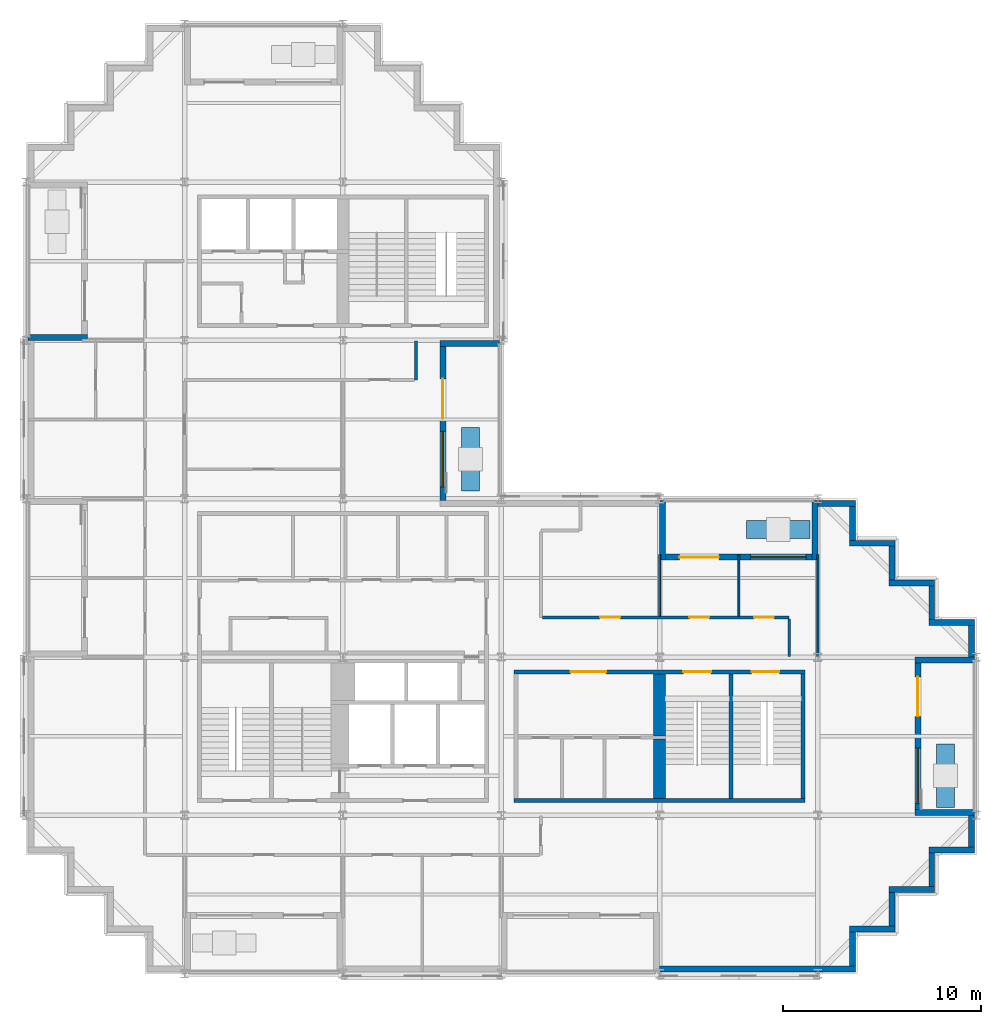
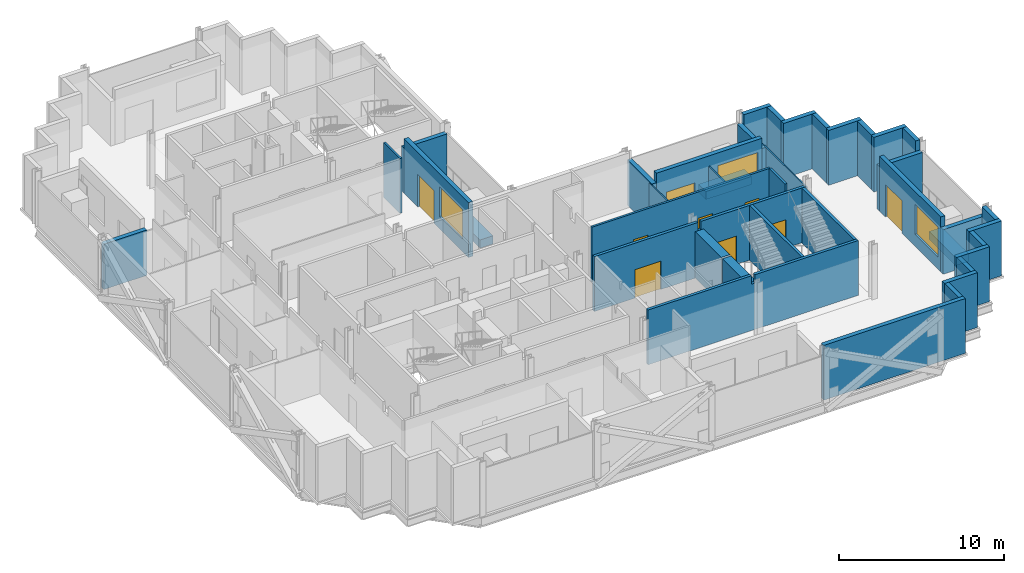
# One storey, part 7 of 12: 40 walls, 9 doors, 3 windows, 12 openings.
"""IFC4 building model written with IfcOpenShell, lengths in metres."""

import ifcopenshell
import ifcopenshell.guid

model = None  # the IFC model being written
_history = None  # IfcOwnerHistory: only IFC2X3 demands one
_inside = {}  # id of a spatial element -> (the spatial element, [elements in it])
_under = {}  # id of a project, library or spatial element -> (it, [spatial elements below it])
_declared = {}  # id of a project -> (the project, [libraries it declares])
_typed = {}  # id of a type object -> (the type object, [elements of that type])
_made_of = {}  # id of a material, layer set ... -> (it, [elements and type objects made of it])


def new_model(schema):
    """Start an empty IFC model of exactly this schema.

    Asked for "IFC4X3", IfcOpenShell would pick the latest addendum, in which some entities
    have other attributes; the version numbers below select the first issue.
    IFC2X3 requires an IfcOwnerHistory on every rooted entity: one is made here for all.
    """
    global model, _history
    if schema == "IFC4X3":
        model = ifcopenshell.file(schema_version=(4, 3, 0, 0))
    else:
        model = ifcopenshell.file(schema=schema)
    _inside.clear()
    _under.clear()
    _declared.clear()
    _typed.clear()
    _made_of.clear()
    _history = None
    if model.schema == "IFC2X3":
        org = make("IfcOrganization", Name="unknown")
        user = make(
            "IfcPersonAndOrganization",
            ThePerson=make("IfcPerson", FamilyName="unknown"),
            TheOrganization=org,
        )
        app = make(
            "IfcApplication",
            ApplicationDeveloper=org,
            Version="unknown",
            ApplicationFullName="unknown",
            ApplicationIdentifier="unknown",
        )
        _history = make(
            "IfcOwnerHistory",
            OwningUser=user,
            OwningApplication=app,
            ChangeAction="ADDED",
            CreationDate=0,
        )
    return model


def make(cls, **values):
    """One entity of the class cls with the attributes given. An attribute that is None is left unset."""
    return model.create_entity(
        cls, **{name: value for name, value in values.items() if value is not None}
    )


def rooted(cls, **values):
    """An entity with a GlobalId (a new one), such as an element, a storey or a relation."""
    return make(cls, GlobalId=ifcopenshell.guid.new(), OwnerHistory=_history, **values)


def si_unit(unit_type, name, prefix=None):
    """IfcSIUnit, for example si_unit("LENGTHUNIT", "METRE", prefix="MILLI")."""
    return make("IfcSIUnit", UnitType=unit_type, Prefix=prefix, Name=name)


def assignment(units):
    """IfcUnitAssignment: the units of a project."""
    return None if units is None else make("IfcUnitAssignment", Units=units)


def point(xyz):
    """IfcCartesianPoint."""
    return None if xyz is None else make("IfcCartesianPoint", Coordinates=xyz)


def direction(xyz):
    """IfcDirection."""
    return None if xyz is None else make("IfcDirection", DirectionRatios=xyz)


def frame(location, z_axis=None, x_axis=None):
    """IfcAxis2Placement3D, a coordinate frame: its origin and axes. An axis left out is left unset."""
    return make(
        "IfcAxis2Placement3D",
        Location=point(location),
        Axis=direction(z_axis),
        RefDirection=direction(x_axis),
    )


def frame_2d(location, x_axis=None):
    """IfcAxis2Placement2D, a coordinate frame in the plane: its origin and x axis."""
    return make(
        "IfcAxis2Placement2D", Location=point(location), RefDirection=direction(x_axis)
    )


def origin():
    """The frame at (0, 0, 0) with its axes left unset."""
    return frame((0.0, 0.0, 0.0))


def place(relative_to, where):
    """IfcLocalPlacement: puts the frame where relative to a parent placement (None: the world)."""
    return make(
        "IfcLocalPlacement", PlacementRelTo=relative_to, RelativePlacement=where
    )


def context(
    kind, dimensions, precision=None, world=None, true_north=None, identifier=None
):
    """IfcGeometricRepresentationContext, for example the 3D "Model" context."""
    return make(
        "IfcGeometricRepresentationContext",
        ContextIdentifier=identifier,
        ContextType=kind,
        CoordinateSpaceDimension=dimensions,
        Precision=precision,
        WorldCoordinateSystem=world,
        TrueNorth=true_north,
    )


def subcontext(parent, identifier, kind, view, scale=None):
    """IfcGeometricRepresentationSubContext, for example "Body" below "Model"."""
    return make(
        "IfcGeometricRepresentationSubContext",
        ContextIdentifier=identifier,
        ContextType=kind,
        ParentContext=parent,
        TargetScale=scale,
        TargetView=view,
    )


def project(units=None, contexts=None):
    """IfcProject with its units and contexts."""
    return rooted(
        "IfcProject",
        Name="project",
        RepresentationContexts=contexts,
        UnitsInContext=assignment(units),
    )


def spatial(cls, under=None, at=None, **own):
    """A site, building, storey or space (cls), placed at a placement, below another one or the project."""
    s = rooted(cls, ObjectPlacement=at, **own)
    if under is not None:
        _under.setdefault(under.id(), (under, []))[1].append(s)
    return s


def polyline(points):
    """IfcPolyline through the points."""
    return make("IfcPolyline", Points=[point(p) for p in points])


def profile(cls, at=None, kind="AREA", **sizes):
    """A parametric profile (cls). Its sizes go by their IFC names, for example OverallWidth=200.0."""
    return make(cls, ProfileType=kind, Position=at, **sizes)


def rectangle(**sizes):
    """IfcRectangleProfileDef."""
    return profile("IfcRectangleProfileDef", **sizes)


def outline(outer, holes=None, kind="AREA"):
    """IfcArbitraryClosedProfileDef: a profile drawn as a closed curve; with holes, ...WithVoids."""
    if holes is None:
        return make("IfcArbitraryClosedProfileDef", ProfileType=kind, OuterCurve=outer)
    return make(
        "IfcArbitraryProfileDefWithVoids",
        ProfileType=kind,
        OuterCurve=outer,
        InnerCurves=holes,
    )


def extrude(swept, where, along, depth):
    """IfcExtrudedAreaSolid: the profile swept, set in the frame where, extruded along a direction by depth."""
    return make(
        "IfcExtrudedAreaSolid",
        SweptArea=swept,
        Position=where,
        ExtrudedDirection=direction(along),
        Depth=depth,
    )


def shape(context_of_items, identifier, shape_type, items):
    """IfcShapeRepresentation: the items that make up one representation, for example the "Body"."""
    return make(
        "IfcShapeRepresentation",
        ContextOfItems=context_of_items,
        RepresentationIdentifier=identifier,
        RepresentationType=shape_type,
        Items=items,
    )


def material(Name=None, Category=None):
    """IfcMaterial."""
    return make("IfcMaterial", Name=Name, Category=Category)


def layer(
    of_material, thickness, ventilated=None, Name=None, Category=None, Priority=None
):
    """IfcMaterialLayer: one layer of a wall or slab, of a material (None: an air gap)."""
    return make(
        "IfcMaterialLayer",
        Material=of_material,
        LayerThickness=thickness,
        IsVentilated=ventilated,
        Name=Name,
        Category=Category,
        Priority=Priority,
    )


def layer_set(layers, Name=None):
    """IfcMaterialLayerSet."""
    return make("IfcMaterialLayerSet", MaterialLayers=layers, LayerSetName=Name)


def made_of(thing, what):
    """Note that an element or type object is made of a material, layer set ...; save() writes the relation."""
    if what is not None:
        _made_of.setdefault(what.id(), (what, []))[1].append(thing)
    return thing


def type_object(cls, material=None, **own):
    """A type object (cls), such as IfcWallType, which elements share."""
    return made_of(rooted(cls, **own), material)


def element(
    cls,
    number,
    at=None,
    inside=None,
    cuts=None,
    type_object=None,
    material=None,
    context=None,
    identifier="Body",
    shape_type=None,
    held_by="IfcProductDefinitionShape",
    body=None,
    shapes=None,
    **own,
):
    """One element of the class cls, such as IfcWall. Its Tag is "e" and its number.

    at: its placement. inside: the storey or other place that contains it. cuts: it is an
    opening in that element (IfcRelVoidsElement). A single representation is given by context,
    identifier, shape_type and body (its items); several are given by shapes. held_by: the class
    of the entity that holds the representations. save() writes the other relations.
    """
    e = rooted(cls, Tag="e%d" % number, ObjectPlacement=at, **own)
    if body is not None:
        shapes = [shape(context, identifier, shape_type, body)]
    if shapes is not None:
        e.Representation = make(held_by, Representations=shapes)
    if inside is not None:
        _inside.setdefault(inside.id(), (inside, []))[1].append(e)
    if cuts is not None:
        rooted(
            "IfcRelVoidsElement", RelatingBuildingElement=cuts, RelatedOpeningElement=e
        )
    if type_object is not None:
        _typed.setdefault(type_object.id(), (type_object, []))[1].append(e)
    return made_of(e, material)


def fill(opening, filler):
    """IfcRelFillsElement: the door or window that sits in an opening."""
    return rooted(
        "IfcRelFillsElement",
        RelatingOpeningElement=opening,
        RelatedBuildingElement=filler,
    )


def aggregate(whole, parts):
    """IfcRelAggregates: a whole, such as a stair, and the parts it consists of."""
    return rooted("IfcRelAggregates", RelatingObject=whole, RelatedObjects=parts)


def save(model, path):
    """Write the relations noted so far, then the file.

    IfcRelAggregates (storeys below a building ...), IfcRelContainedInSpatialStructure (elements
    in a storey), IfcRelDefinesByType, IfcRelAssociatesMaterial and IfcRelDeclares: one each for
    every whole, place, type object, material and project.
    """
    for whole, parts in _under.values():
        aggregate(whole, parts)
    for where, things in _inside.values():
        rooted(
            "IfcRelContainedInSpatialStructure",
            RelatedElements=things,
            RelatingStructure=where,
        )
    for kind, things in _typed.values():
        rooted("IfcRelDefinesByType", RelatedObjects=things, RelatingType=kind)
    for what, things in _made_of.values():
        rooted("IfcRelAssociatesMaterial", RelatedObjects=things, RelatingMaterial=what)
    for by, libraries in _declared.values():
        rooted("IfcRelDeclares", RelatingContext=by, RelatedDefinitions=libraries)
    model.write(path)


model = new_model("IFC4")

# Units and contexts
model_context = context("Model", 3, precision=1e-05, world=origin(), true_north=direction((0.0, 1.0)))
body_context = subcontext(model_context, "Body", "Model", "MODEL_VIEW")
ifc_project = project(units=[si_unit("LENGTHUNIT", "METRE"), si_unit("AREAUNIT", "SQUARE_METRE"), si_unit("VOLUMEUNIT", "CUBIC_METRE"), si_unit("PLANEANGLEUNIT", "RADIAN"), si_unit("MASSUNIT", "GRAM", prefix="KILO")], contexts=[model_context])

# Site, building, storey
site_placement = place(None, origin())
site = spatial("IfcSite", under=ifc_project, at=site_placement, CompositionType="ELEMENT")
building_placement = place(site_placement, origin())
building = spatial("IfcBuilding", under=site, at=building_placement, Name="Immortelle Media Tower", CompositionType="ELEMENT")
storey_placement = place(building_placement, frame((0.0, 0.0, 145.199951171875)))
storey = spatial("IfcBuildingStorey", under=building, at=storey_placement, Name="L29", CompositionType="ELEMENT", Elevation=145.199951171875)

# Wall
ifc_material_1 = material(Name="Fire-rated gypsum board", Category="gypsum")
ifc_layer_1 = layer(ifc_material_1, 0.012451171875)
ifc_material_2 = material(Name="Steel ASTM A653 SS Gr 50 stud frame with mineral wool", Category="steel")
ifc_layer_2 = layer(ifc_material_2, 0.125)
ifc_layer_3 = layer(ifc_material_1, 0.012451171875)
ifc_layer_set_1 = layer_set([ifc_layer_1, ifc_layer_2, ifc_layer_3], Name="Steel ASTM A653 SS Gr 50 stud frame with mineral wool")
wall_type_1 = type_object("IfcWallType", Name="Corridor wall 150", PredefinedType="PARTITIONING", material=ifc_layer_set_1)
wall_1_placement = place(storey_placement, frame((38.550048828125, 16.030029296875, 0.0), z_axis=(0.0, 0.0, 1.0), x_axis=(0.0, 1.0, 0.0)))
element("IfcWall", 1, at=wall_1_placement, inside=storey, type_object=wall_type_1, Name="Partition L29-009", PredefinedType="PARTITIONING", context=body_context, shape_type="SweptSolid", body=[
    extrude(rectangle(XDim=1.89501953125, YDim=0.14990234375, at=frame_2d((0.947509765625, 0.0))), origin(), (0.0, 0.0, 1.0), 4.050048828125),
])

# Wall, openings, doors
wall_2_placement = place(storey_placement, frame((26.074951171875, 18.0, 0.0), z_axis=(0.0, 0.0, 1.0), x_axis=(1.0, 0.0, 0.0)))
wall_2 = element("IfcWall", 2, at=wall_2_placement, inside=storey, type_object=wall_type_1, Name="Partition L29-011", PredefinedType="PARTITIONING", context=body_context, shape_type="SweptSolid", body=[
    extrude(rectangle(XDim=12.47509765625, YDim=0.14990234375, at=frame_2d((6.237548828125, 0.0))), origin(), (0.0, 0.0, 1.0), 4.050048828125),
])
opening_1_placement = place(wall_2_placement, frame((7.425048828125, 0.0, 0.0)))
opening_1 = element("IfcOpeningElement", 3, at=opening_1_placement, cuts=wall_2, Name="Opening C3-F006", PredefinedType="OPENING", context=body_context, shape_type="SweptSolid", body=[
    extrude(rectangle(XDim=1.0, YDim=2.10009765625, at=frame_2d((0.5, 1.050048828125))), frame((0.0, 0.0849609375, 0.0), z_axis=(0.0, -1.0, 0.0), x_axis=(1.0, 0.0, 0.0)), (0.0, 0.0, 1.0), 0.169921875),
])
opening_2_placement = place(wall_2_placement, frame((10.699951171875, 0.0, 0.0)))
opening_2 = element("IfcOpeningElement", 4, at=opening_2_placement, cuts=wall_2, Name="Opening C3-F007", PredefinedType="OPENING", context=body_context, shape_type="SweptSolid", body=[
    extrude(rectangle(XDim=1.0, YDim=2.10009765625, at=frame_2d((0.5, 1.050048828125))), frame((0.0, 0.0849609375, 0.0), z_axis=(0.0, -1.0, 0.0), x_axis=(1.0, 0.0, 0.0)), (0.0, 0.0, 1.0), 0.169921875),
])
opening_3_placement = place(wall_2_placement, frame((2.925048828125, 0.0, 0.0)))
opening_3 = element("IfcOpeningElement", 5, at=opening_3_placement, cuts=wall_2, Name="Opening C3-F010", PredefinedType="OPENING", context=body_context, shape_type="SweptSolid", body=[
    extrude(rectangle(XDim=1.0, YDim=2.10009765625, at=frame_2d((0.5, 1.050048828125))), frame((0.0, 0.0849609375, 0.0), z_axis=(0.0, -1.0, 0.0), x_axis=(1.0, 0.0, 0.0)), (0.0, 0.0, 1.0), 0.169921875),
])
ifc_material_3 = material(Name="Timber veneered door leaf, galvanised steel frame ASTM A653", Category="steel")
door_type_1 = type_object("IfcDoorType", Name="Room door 1000 x 2100", OperationType="NOTDEFINED", PredefinedType="DOOR", material=ifc_material_3)
door_1_placement = place(opening_1_placement, origin())
door_1 = element("IfcDoor", 6, at=door_1_placement, inside=storey, type_object=door_type_1, Name="Door C3-F006", OperationType="SINGLE_SWING_RIGHT", OverallHeight=2.10009765625, OverallWidth=1.0, PredefinedType="DOOR", context=body_context, shape_type="SweptSolid", body=[
    extrude(rectangle(XDim=1.0, YDim=2.10009765625, at=frame_2d((0.5, 1.050048828125))), frame((0.0, 0.02490234375, 0.0), z_axis=(0.0, -1.0, 0.0), x_axis=(1.0, 0.0, 0.0)), (0.0, 0.0, 1.0), 0.050048828125),
])
fill(opening_1, door_1)
door_2_placement = place(opening_2_placement, origin())
door_2 = element("IfcDoor", 7, at=door_2_placement, inside=storey, type_object=door_type_1, Name="Door C3-F007", OperationType="SINGLE_SWING_LEFT", OverallHeight=2.10009765625, OverallWidth=1.0, PredefinedType="DOOR", context=body_context, shape_type="SweptSolid", body=[
    extrude(rectangle(XDim=1.0, YDim=2.10009765625, at=frame_2d((0.5, 1.050048828125))), frame((0.0, 0.02490234375, 0.0), z_axis=(0.0, -1.0, 0.0), x_axis=(1.0, 0.0, 0.0)), (0.0, 0.0, 1.0), 0.050048828125),
])
fill(opening_2, door_2)
door_3_placement = place(opening_3_placement, origin())
door_3 = element("IfcDoor", 8, at=door_3_placement, inside=storey, type_object=door_type_1, Name="Door C3-F010", OperationType="SINGLE_SWING_RIGHT", OverallHeight=2.10009765625, OverallWidth=1.0, PredefinedType="DOOR", context=body_context, shape_type="SweptSolid", body=[
    extrude(rectangle(XDim=1.0, YDim=2.10009765625, at=frame_2d((0.5, 1.050048828125))), frame((0.0, 0.02490234375, 0.0), z_axis=(0.0, -1.0, 0.0), x_axis=(1.0, 0.0, 0.0)), (0.0, 0.0, 1.0), 0.050048828125),
])
fill(opening_3, door_3)

# Walls
wall_3_placement = place(storey_placement, frame((19.699951171875, 30.0, 0.0), z_axis=(0.0, 0.0, 1.0), x_axis=(0.0, 1.0, 0.0)))
element("IfcWall", 9, at=wall_3_placement, inside=storey, type_object=wall_type_1, Name="Partition L29-027", PredefinedType="PARTITIONING", context=body_context, shape_type="SweptSolid", body=[
    extrude(rectangle(XDim=1.969970703125, YDim=0.14990234375, at=frame_2d((0.98486328125, 0.0))), origin(), (0.0, 0.0, 1.0), 4.050048828125),
])
ifc_material_4 = material(Name="Pale aluminium cladding panel", Category="aluminium")
ifc_layer_4 = layer(ifc_material_4, 0.030029296875)
ifc_layer_5 = layer(ifc_material_2, 0.257568359375)
ifc_material_5 = material(Name="Moisture-resistant gypsum board", Category="gypsum")
ifc_layer_6 = layer(ifc_material_5, 0.012451171875)
ifc_layer_set_2 = layer_set([ifc_layer_4, ifc_layer_5, ifc_layer_6], Name="Steel ASTM A653 SS Gr 50 stud frame with mineral wool")
wall_type_2 = type_object("IfcWallType", Name="Facade wall 300", PredefinedType="SOLIDWALL", material=ifc_layer_set_2)
wall_4_placement = place(storey_placement, frame((32.0, 0.25, 0.0), z_axis=(0.0, 0.0, 1.0), x_axis=(1.0, 0.0, 0.0)))
element("IfcWall", 10, at=wall_4_placement, inside=storey, type_object=wall_type_2, Name="Facade wall L29 S6", PredefinedType="SOLIDWALL", context=body_context, shape_type="SweptSolid", body=[
    extrude(rectangle(XDim=9.89990234375, YDim=0.300048828125, at=frame_2d((4.949951171875, 0.0))), origin(), (0.0, 0.0, 1.0), 4.050048828125),
])
wall_5_placement = place(storey_placement, frame((41.75, 0.39990234375, 0.0), z_axis=(0.0, 0.0, 1.0), x_axis=(0.0, 1.0, 0.0)))
element("IfcWall", 11, at=wall_5_placement, inside=storey, type_object=wall_type_2, Name="Facade wall L29 E7", PredefinedType="SOLIDWALL", context=body_context, shape_type="SweptSolid", body=[
    extrude(rectangle(XDim=1.7001953125, YDim=0.300048828125, at=frame_2d((0.85009765625, 0.0))), origin(), (0.0, 0.0, 1.0), 4.050048828125),
])
wall_6_placement = place(storey_placement, frame((41.60009765625, 2.25, 0.0), z_axis=(0.0, 0.0, 1.0), x_axis=(1.0, 0.0, 0.0)))
element("IfcWall", 12, at=wall_6_placement, inside=storey, type_object=wall_type_2, Name="Facade wall L29 S8", PredefinedType="SOLIDWALL", context=body_context, shape_type="SweptSolid", body=[
    extrude(rectangle(XDim=2.2998046875, YDim=0.300048828125, at=frame_2d((1.14990234375, 0.0))), origin(), (0.0, 0.0, 1.0), 4.050048828125),
])
wall_7_placement = place(storey_placement, frame((43.75, 2.39990234375, 0.0), z_axis=(0.0, 0.0, 1.0), x_axis=(0.0, 1.0, 0.0)))
element("IfcWall", 13, at=wall_7_placement, inside=storey, type_object=wall_type_2, Name="Facade wall L29 E9", PredefinedType="SOLIDWALL", context=body_context, shape_type="SweptSolid", body=[
    extrude(rectangle(XDim=1.7001953125, YDim=0.300048828125, at=frame_2d((0.85009765625, 0.0))), origin(), (0.0, 0.0, 1.0), 4.050048828125),
])
wall_8_placement = place(storey_placement, frame((43.60009765625, 4.25, 0.0), z_axis=(0.0, 0.0, 1.0), x_axis=(1.0, 0.0, 0.0)))
element("IfcWall", 14, at=wall_8_placement, inside=storey, type_object=wall_type_2, Name="Facade wall L29 S10", PredefinedType="SOLIDWALL", context=body_context, shape_type="SweptSolid", body=[
    extrude(rectangle(XDim=2.2998046875, YDim=0.300048828125, at=frame_2d((1.14990234375, 0.0))), origin(), (0.0, 0.0, 1.0), 4.050048828125),
])
wall_9_placement = place(storey_placement, frame((45.75, 4.39990234375, 0.0), z_axis=(0.0, 0.0, 1.0), x_axis=(0.0, 1.0, 0.0)))
element("IfcWall", 15, at=wall_9_placement, inside=storey, type_object=wall_type_2, Name="Facade wall L29 E11", PredefinedType="SOLIDWALL", context=body_context, shape_type="SweptSolid", body=[
    extrude(rectangle(XDim=1.7001953125, YDim=0.300048828125, at=frame_2d((0.85009765625, 0.0))), origin(), (0.0, 0.0, 1.0), 4.050048828125),
])
wall_10_placement = place(storey_placement, frame((45.60009765625, 6.25, 0.0), z_axis=(0.0, 0.0, 1.0), x_axis=(1.0, 0.0, 0.0)))
element("IfcWall", 16, at=wall_10_placement, inside=storey, type_object=wall_type_2, Name="Facade wall L29 S12", PredefinedType="SOLIDWALL", context=body_context, shape_type="SweptSolid", body=[
    extrude(rectangle(XDim=2.2998046875, YDim=0.300048828125, at=frame_2d((1.14990234375, 0.0))), origin(), (0.0, 0.0, 1.0), 4.050048828125),
])
wall_11_placement = place(storey_placement, frame((47.75, 6.39990234375, 0.0), z_axis=(0.0, 0.0, 1.0), x_axis=(0.0, 1.0, 0.0)))
element("IfcWall", 17, at=wall_11_placement, inside=storey, type_object=wall_type_2, Name="Facade wall L29 E13", PredefinedType="SOLIDWALL", context=body_context, shape_type="SweptSolid", body=[
    extrude(rectangle(XDim=1.60009765625, YDim=0.300048828125, at=frame_2d((0.800048828125, 0.0))), origin(), (0.0, 0.0, 1.0), 4.050048828125),
])

# Wall, openings, door, window
wall_12_placement = place(storey_placement, frame((45.050048828125, 8.300048828125, 0.0), z_axis=(0.0, 0.0, 1.0), x_axis=(0.0, 1.0, 0.0)))
wall_12 = element("IfcWall", 18, at=wall_12_placement, inside=storey, type_object=wall_type_2, Name="Loggia wall L29 E13", PredefinedType="SOLIDWALL", context=body_context, shape_type="SweptSolid", body=[
    extrude(rectangle(XDim=7.39990234375, YDim=0.300048828125, at=frame_2d((3.699951171875, 0.0))), origin(), (0.0, 0.0, 1.0), 4.050048828125),
])
opening_4_placement = place(wall_12_placement, frame((0.300048828125, 0.0, 0.89990234375)))
opening_4 = element("IfcOpeningElement", 19, at=opening_4_placement, cuts=wall_12, Name="Opening W1", PredefinedType="OPENING", context=body_context, shape_type="SweptSolid", body=[
    extrude(rectangle(XDim=2.800048828125, YDim=2.199951171875, at=frame_2d((1.39990234375, 1.10009765625))), frame((0.0, 0.159912109375, 0.0), z_axis=(0.0, -1.0, 0.0), x_axis=(1.0, 0.0, 0.0)), (0.0, 0.0, 1.0), 0.320068359375),
])
opening_5_placement = place(wall_12_placement, frame((4.699951171875, 0.0, 0.0)))
opening_5 = element("IfcOpeningElement", 20, at=opening_5_placement, cuts=wall_12, Name="Opening C3-E003", PredefinedType="OPENING", context=body_context, shape_type="SweptSolid", body=[
    extrude(rectangle(XDim=2.0, YDim=2.39990234375, at=frame_2d((1.0, 1.199951171875))), frame((0.0, 0.159912109375, 0.0), z_axis=(0.0, -1.0, 0.0), x_axis=(1.0, 0.0, 0.0)), (0.0, 0.0, 1.0), 0.320068359375),
])
ifc_material_6 = material(Name="Aluminium frame, glazed leaves", Category="aluminium")
door_type_2 = type_object("IfcDoorType", Name="Loggia door 2000 x 2400", OperationType="DOUBLE_DOOR_SINGLE_SWING", PredefinedType="DOOR", material=ifc_material_6)
door_4_placement = place(opening_5_placement, origin())
door_4 = element("IfcDoor", 21, at=door_4_placement, inside=storey, type_object=door_type_2, Name="Door C3-E003", OperationType="DOUBLE_DOOR_SINGLE_SWING", OverallHeight=2.39990234375, OverallWidth=2.0, PredefinedType="DOOR", context=body_context, shape_type="SweptSolid", body=[
    extrude(rectangle(XDim=2.0, YDim=2.39990234375, at=frame_2d((1.0, 1.199951171875))), frame((0.0, 0.02490234375, 0.0), z_axis=(0.0, -1.0, 0.0), x_axis=(1.0, 0.0, 0.0)), (0.0, 0.0, 1.0), 0.050048828125),
])
fill(opening_5, door_4)
ifc_material_7 = material(Name="Aluminium frame", Category="aluminium")
window_type = type_object("IfcWindowType", Name="Window 2800 x 2200", PartitioningType="SINGLE_PANEL", PredefinedType="WINDOW", material=ifc_material_7)
window_1_placement = place(opening_4_placement, origin())
window_1 = element("IfcWindow", 22, at=window_1_placement, inside=storey, type_object=window_type, Name="Window L29 L29-R13-B0", OverallHeight=2.199951171875, OverallWidth=2.800048828125, PartitioningType="SINGLE_PANEL", PredefinedType="WINDOW", context=body_context, shape_type="SweptSolid", body=[
    extrude(rectangle(XDim=2.800048828125, YDim=2.199951171875, at=frame_2d((1.39990234375, 1.10009765625))), frame((0.0, 0.030029296875, 0.0), z_axis=(0.0, -1.0, 0.0), x_axis=(1.0, 0.0, 0.0)), (0.0, 0.0, 1.0), 0.06005859375),
])
fill(opening_4, window_1)

# Walls
for number, where, z_axis, x_axis, name in (
    (23, (47.89990234375, 8.14990234375, 0.0), (0.0, 0.0, 1.0), (-1.0, 0.0, 0.0), "Loggia cheek wall L29 E"),
    (24, (47.89990234375, 15.85009765625, 0.0), (0.0, 0.0, 1.0), (-1.0, 0.0, 0.0), "Loggia cheek wall L29 E"),
):
    element("IfcWall", number, at=place(storey_placement, frame(where, z_axis=z_axis, x_axis=x_axis)), inside=storey, type_object=wall_type_2, Name=name, PredefinedType="SOLIDWALL", context=body_context, shape_type="SweptSolid", body=[
        extrude(rectangle(XDim=3.0, YDim=0.300048828125, at=frame_2d((1.5, 0.0))), origin(), (0.0, 0.0, 1.0), 3.287109375),
    ])
wall_13_placement = place(storey_placement, frame((47.75, 16.0, 0.0), z_axis=(0.0, 0.0, 1.0), x_axis=(0.0, 1.0, 0.0)))
element("IfcWall", 25, at=wall_13_placement, inside=storey, type_object=wall_type_2, Name="Facade wall L29 E13", PredefinedType="SOLIDWALL", context=body_context, shape_type="SweptSolid", body=[
    extrude(rectangle(XDim=1.60009765625, YDim=0.300048828125, at=frame_2d((0.800048828125, 0.0))), origin(), (0.0, 0.0, 1.0), 4.050048828125),
])
wall_14_placement = place(storey_placement, frame((47.89990234375, 17.75, 0.0), z_axis=(0.0, 0.0, 1.0), x_axis=(-1.0, 0.0, 0.0)))
element("IfcWall", 26, at=wall_14_placement, inside=storey, type_object=wall_type_2, Name="Facade wall L29 N14", PredefinedType="SOLIDWALL", context=body_context, shape_type="SweptSolid", body=[
    extrude(rectangle(XDim=2.2998046875, YDim=0.300048828125, at=frame_2d((1.14990234375, 0.0))), origin(), (0.0, 0.0, 1.0), 4.050048828125),
])
wall_15_placement = place(storey_placement, frame((45.75, 17.89990234375, 0.0), z_axis=(0.0, 0.0, 1.0), x_axis=(0.0, 1.0, 0.0)))
element("IfcWall", 27, at=wall_15_placement, inside=storey, type_object=wall_type_2, Name="Facade wall L29 E15", PredefinedType="SOLIDWALL", context=body_context, shape_type="SweptSolid", body=[
    extrude(rectangle(XDim=1.7001953125, YDim=0.300048828125, at=frame_2d((0.85009765625, 0.0))), origin(), (0.0, 0.0, 1.0), 4.050048828125),
])
wall_16_placement = place(storey_placement, frame((45.89990234375, 19.75, 0.0), z_axis=(0.0, 0.0, 1.0), x_axis=(-1.0, 0.0, 0.0)))
element("IfcWall", 28, at=wall_16_placement, inside=storey, type_object=wall_type_2, Name="Facade wall L29 N16", PredefinedType="SOLIDWALL", context=body_context, shape_type="SweptSolid", body=[
    extrude(rectangle(XDim=2.2998046875, YDim=0.300048828125, at=frame_2d((1.14990234375, 0.0))), origin(), (0.0, 0.0, 1.0), 4.050048828125),
])
wall_17_placement = place(storey_placement, frame((43.75, 19.89990234375, 0.0), z_axis=(0.0, 0.0, 1.0), x_axis=(0.0, 1.0, 0.0)))
element("IfcWall", 29, at=wall_17_placement, inside=storey, type_object=wall_type_2, Name="Facade wall L29 E17", PredefinedType="SOLIDWALL", context=body_context, shape_type="SweptSolid", body=[
    extrude(rectangle(XDim=1.7001953125, YDim=0.300048828125, at=frame_2d((0.85009765625, 0.0))), origin(), (0.0, 0.0, 1.0), 4.050048828125),
])
wall_18_placement = place(storey_placement, frame((43.89990234375, 21.75, 0.0), z_axis=(0.0, 0.0, 1.0), x_axis=(-1.0, 0.0, 0.0)))
element("IfcWall", 30, at=wall_18_placement, inside=storey, type_object=wall_type_2, Name="Facade wall L29 N18", PredefinedType="SOLIDWALL", context=body_context, shape_type="SweptSolid", body=[
    extrude(rectangle(XDim=2.2998046875, YDim=0.300048828125, at=frame_2d((1.14990234375, 0.0))), origin(), (0.0, 0.0, 1.0), 4.050048828125),
])
wall_19_placement = place(storey_placement, frame((41.75, 21.89990234375, 0.0), z_axis=(0.0, 0.0, 1.0), x_axis=(0.0, 1.0, 0.0)))
element("IfcWall", 31, at=wall_19_placement, inside=storey, type_object=wall_type_2, Name="Facade wall L29 E19", PredefinedType="SOLIDWALL", context=body_context, shape_type="SweptSolid", body=[
    extrude(rectangle(XDim=1.7001953125, YDim=0.300048828125, at=frame_2d((0.85009765625, 0.0))), origin(), (0.0, 0.0, 1.0), 4.050048828125),
])
wall_20_placement = place(storey_placement, frame((41.89990234375, 23.75, 0.0), z_axis=(0.0, 0.0, 1.0), x_axis=(-1.0, 0.0, 0.0)))
element("IfcWall", 32, at=wall_20_placement, inside=storey, type_object=wall_type_2, Name="Facade wall L29 N20", PredefinedType="SOLIDWALL", context=body_context, shape_type="SweptSolid", body=[
    extrude(rectangle(XDim=1.89990234375, YDim=0.300048828125, at=frame_2d((0.949951171875, 0.0))), origin(), (0.0, 0.0, 1.0), 4.050048828125),
])

# Wall, openings, door, window
wall_21_placement = place(storey_placement, frame((39.699951171875, 21.050048828125, 0.0), z_axis=(0.0, 0.0, 1.0), x_axis=(-1.0, 0.0, 0.0)))
wall_21 = element("IfcWall", 33, at=wall_21_placement, inside=storey, type_object=wall_type_2, Name="Loggia wall L29 N20", PredefinedType="SOLIDWALL", context=body_context, shape_type="SweptSolid", body=[
    extrude(rectangle(XDim=7.39990234375, YDim=0.300048828125, at=frame_2d((3.699951171875, 0.0))), origin(), (0.0, 0.0, 1.0), 4.050048828125),
])
opening_6_placement = place(wall_21_placement, frame((0.300048828125, 0.0, 0.89990234375)))
opening_6 = element("IfcOpeningElement", 34, at=opening_6_placement, cuts=wall_21, Name="Opening W1", PredefinedType="OPENING", context=body_context, shape_type="SweptSolid", body=[
    extrude(rectangle(XDim=2.800048828125, YDim=2.199951171875, at=frame_2d((1.39990234375, 1.10009765625))), frame((0.0, 0.159912109375, 0.0), z_axis=(0.0, -1.0, 0.0), x_axis=(1.0, 0.0, 0.0)), (0.0, 0.0, 1.0), 0.320068359375),
])
opening_7_placement = place(wall_21_placement, frame((4.699951171875, 0.0, 0.0)))
opening_7 = element("IfcOpeningElement", 35, at=opening_7_placement, cuts=wall_21, Name="Opening C3-E004", PredefinedType="OPENING", context=body_context, shape_type="SweptSolid", body=[
    extrude(rectangle(XDim=2.0, YDim=2.39990234375, at=frame_2d((1.0, 1.199951171875))), frame((0.0, 0.159912109375, 0.0), z_axis=(0.0, -1.0, 0.0), x_axis=(1.0, 0.0, 0.0)), (0.0, 0.0, 1.0), 0.320068359375),
])
door_5_placement = place(opening_7_placement, origin())
door_5 = element("IfcDoor", 36, at=door_5_placement, inside=storey, type_object=door_type_2, Name="Door C3-E004", OperationType="DOUBLE_DOOR_SINGLE_SWING", OverallHeight=2.39990234375, OverallWidth=2.0, PredefinedType="DOOR", context=body_context, shape_type="SweptSolid", body=[
    extrude(rectangle(XDim=2.0, YDim=2.39990234375, at=frame_2d((1.0, 1.199951171875))), frame((0.0, 0.02490234375, 0.0), z_axis=(0.0, -1.0, 0.0), x_axis=(1.0, 0.0, 0.0)), (0.0, 0.0, 1.0), 0.050048828125),
])
fill(opening_7, door_5)
window_2_placement = place(opening_6_placement, origin())
window_2 = element("IfcWindow", 37, at=window_2_placement, inside=storey, type_object=window_type, Name="Window L29 L29-R20-B0", OverallHeight=2.199951171875, OverallWidth=2.800048828125, PartitioningType="SINGLE_PANEL", PredefinedType="WINDOW", context=body_context, shape_type="SweptSolid", body=[
    extrude(rectangle(XDim=2.800048828125, YDim=2.199951171875, at=frame_2d((1.39990234375, 1.10009765625))), frame((0.0, 0.030029296875, 0.0), z_axis=(0.0, -1.0, 0.0), x_axis=(1.0, 0.0, 0.0)), (0.0, 0.0, 1.0), 0.06005859375),
])
fill(opening_6, window_2)

# Walls
wall_22_placement = place(storey_placement, frame((39.85009765625, 23.89990234375, 0.0), z_axis=(0.0, 0.0, 1.0), x_axis=(0.0, -1.0, 0.0)))
element("IfcWall", 38, at=wall_22_placement, inside=storey, type_object=wall_type_2, Name="Loggia cheek wall L29 N", PredefinedType="SOLIDWALL", context=body_context, shape_type="SweptSolid", body=[
    extrude(rectangle(XDim=3.0, YDim=0.300048828125, at=frame_2d((1.5, 0.0))), origin(), (0.0, 0.0, 1.0), 3.287109375),
])
wall_23_placement = place(storey_placement, frame((32.14990234375, 23.89990234375, 0.0), z_axis=(0.0, 0.0, 1.0), x_axis=(0.0, -1.0, 0.0)))
element("IfcWall", 39, at=wall_23_placement, inside=storey, type_object=wall_type_2, Name="Loggia cheek wall L29 N", PredefinedType="SOLIDWALL", context=body_context, shape_type="SweptSolid", body=[
    extrude(rectangle(XDim=3.0, YDim=0.300048828125, at=frame_2d((1.5, 0.0))), origin(), (0.0, 0.0, 1.0), 3.35595703125),
])

# Wall, openings, door, window
wall_24_placement = place(storey_placement, frame((21.050048828125, 23.89990234375, 0.0), z_axis=(0.0, 0.0, 1.0), x_axis=(0.0, 1.0, 0.0)))
wall_24 = element("IfcWall", 40, at=wall_24_placement, inside=storey, type_object=wall_type_2, Name="Loggia wall L29 E21", PredefinedType="SOLIDWALL", context=body_context, shape_type="SweptSolid", body=[
    extrude(rectangle(XDim=7.800048828125, YDim=0.300048828125, at=frame_2d((3.89990234375, 0.0))), origin(), (0.0, 0.0, 1.0), 4.050048828125),
])
opening_8_placement = place(wall_24_placement, frame((0.699951171875, 0.0, 0.89990234375)))
opening_8 = element("IfcOpeningElement", 41, at=opening_8_placement, cuts=wall_24, Name="Opening W1", PredefinedType="OPENING", context=body_context, shape_type="SweptSolid", body=[
    extrude(rectangle(XDim=2.800048828125, YDim=2.199951171875, at=frame_2d((1.39990234375, 1.10009765625))), frame((0.0, 0.159912109375, 0.0), z_axis=(0.0, -1.0, 0.0), x_axis=(1.0, 0.0, 0.0)), (0.0, 0.0, 1.0), 0.320068359375),
])
opening_9_placement = place(wall_24_placement, frame((4.14990234375, 0.0, 0.0)))
opening_9 = element("IfcOpeningElement", 42, at=opening_9_placement, cuts=wall_24, Name="Opening C3-E005", PredefinedType="OPENING", context=body_context, shape_type="SweptSolid", body=[
    extrude(rectangle(XDim=2.0, YDim=2.39990234375, at=frame_2d((1.0, 1.199951171875))), frame((0.0, 0.159912109375, 0.0), z_axis=(0.0, -1.0, 0.0), x_axis=(1.0, 0.0, 0.0)), (0.0, 0.0, 1.0), 0.320068359375),
])
door_6_placement = place(opening_9_placement, origin())
door_6 = element("IfcDoor", 43, at=door_6_placement, inside=storey, type_object=door_type_2, Name="Door C3-E005", OperationType="DOUBLE_DOOR_SINGLE_SWING", OverallHeight=2.39990234375, OverallWidth=2.0, PredefinedType="DOOR", context=body_context, shape_type="SweptSolid", body=[
    extrude(rectangle(XDim=2.0, YDim=2.39990234375, at=frame_2d((1.0, 1.199951171875))), frame((0.0, 0.02490234375, 0.0), z_axis=(0.0, -1.0, 0.0), x_axis=(1.0, 0.0, 0.0)), (0.0, 0.0, 1.0), 0.050048828125),
])
fill(opening_9, door_6)
window_3_placement = place(opening_8_placement, origin())
window_3 = element("IfcWindow", 44, at=window_3_placement, inside=storey, type_object=window_type, Name="Window L29 L29-R21-B0", OverallHeight=2.199951171875, OverallWidth=2.800048828125, PartitioningType="SINGLE_PANEL", PredefinedType="WINDOW", context=body_context, shape_type="SweptSolid", body=[
    extrude(rectangle(XDim=2.800048828125, YDim=2.199951171875, at=frame_2d((1.39990234375, 1.10009765625))), frame((0.0, 0.030029296875, 0.0), z_axis=(0.0, -1.0, 0.0), x_axis=(1.0, 0.0, 0.0)), (0.0, 0.0, 1.0), 0.06005859375),
])
fill(opening_8, window_3)

# Walls
for number, where, z_axis, x_axis, name in (
    (45, (23.89990234375, 31.85009765625, 0.0), (0.0, 0.0, 1.0), (-1.0, 0.0, 0.0), "Loggia cheek wall L29 E"),
    (46, (0.10009765625, 32.14990234375, 0.0), (0.0, 0.0, 1.0), (1.0, 0.0, 0.0), "Loggia cheek wall L29 W"),
):
    element("IfcWall", number, at=place(storey_placement, frame(where, z_axis=z_axis, x_axis=x_axis)), inside=storey, type_object=wall_type_2, Name=name, PredefinedType="SOLIDWALL", context=body_context, shape_type="SweptSolid", body=[
        extrude(rectangle(XDim=3.0, YDim=0.300048828125, at=frame_2d((1.5, 0.0))), origin(), (0.0, 0.0, 1.0), 3.35595703125),
    ])
ifc_material_8 = material(Name="Gypsum board", Category="gypsum")
ifc_layer_7 = layer(ifc_material_8, 0.012451171875)
ifc_layer_8 = layer(ifc_material_2, 0.074951171875)
ifc_layer_9 = layer(ifc_material_8, 0.012451171875)
ifc_layer_set_3 = layer_set([ifc_layer_7, ifc_layer_8, ifc_layer_9], Name="Steel ASTM A653 SS Gr 50 stud frame with mineral wool")
wall_type_3 = type_object("IfcWallType", Name="Partition 100", PredefinedType="PARTITIONING", material=ifc_layer_set_3)
wall_25_placement = place(storey_placement, frame((40.0, 16.030029296875, 0.0), z_axis=(0.0, 0.0, 1.0), x_axis=(0.0, 1.0, 0.0)))
element("IfcWall", 47, at=wall_25_placement, inside=storey, type_object=wall_type_3, Name="Partition L29-010", PredefinedType="PARTITIONING", context=body_context, shape_type="SweptSolid", body=[
    extrude(rectangle(XDim=5.139892578125, YDim=0.10009765625, at=frame_2d((2.56982421875, 0.0))), origin(), (0.0, 0.0, 1.0), 3.2880859375),
])
for number, where, z_axis, x_axis, name in (
    (48, (32.0, 18.074951171875, 0.0), (0.0, 0.0, 1.0), (0.0, 1.0, 0.0), "Partition L29-013"),
    (49, (36.0, 18.074951171875, 0.0), (0.0, 0.0, 1.0), (0.0, 1.0, 0.0), "Partition L29-014"),
):
    element("IfcWall", number, at=place(storey_placement, frame(where, z_axis=z_axis, x_axis=x_axis)), inside=storey, type_object=wall_type_3, Name=name, PredefinedType="PARTITIONING", context=body_context, shape_type="SweptSolid", body=[
        extrude(rectangle(XDim=3.094970703125, YDim=0.10009765625, at=frame_2d((1.54736328125, 0.0))), origin(), (0.0, 0.0, 1.0), 3.2880859375),
    ])
ifc_layer_10 = layer(ifc_material_4, 0.0029296875)
ifc_material_9 = material(Name="Steel ASTM A572 Gr 50 planter shell", Category="steel")
ifc_layer_11 = layer(ifc_material_9, 0.011962890625)
ifc_material_10 = material(Name="Planting substrate", Category="soil")
ifc_layer_12 = layer(ifc_material_10, 0.873046875)
ifc_layer_13 = layer(ifc_material_9, 0.011962890625)
ifc_layer_set_4 = layer_set([ifc_layer_10, ifc_layer_11, ifc_layer_12, ifc_layer_13], Name="Steel ASTM A572 Gr 50 planter shell")
wall_type_4 = type_object("IfcWallType", Name="Planter wall 900", PredefinedType="SOLIDWALL", material=ifc_layer_set_4)
for number, where, z_axis, x_axis, name in (
    (50, (46.449951171875, 8.39990234375, 0.0), (0.0, 0.0, 1.0), (0.0, 1.0, 0.0), "Planter L29 E0"),
    (51, (39.60009765625, 22.449951171875, 0.0), (0.0, 0.0, 1.0), (-1.0, 0.0, 0.0), "Planter L29 N0"),
    (52, (22.449951171875, 24.39990234375, 0.0), (0.0, 0.0, 1.0), (0.0, 1.0, 0.0), "Planter L29 E0"),
):
    element("IfcWall", number, at=place(storey_placement, frame(where, z_axis=z_axis, x_axis=x_axis)), inside=storey, type_object=wall_type_4, Name=name, PredefinedType="SOLIDWALL", context=body_context, shape_type="SweptSolid", body=[
        extrude(rectangle(XDim=3.2001953125, YDim=0.89990234375, at=frame_2d((1.60009765625, 0.0))), origin(), (0.0, 0.0, 1.0), 0.60009765625),
    ])
ifc_material_11 = material(Name="Concrete C60", Category="concrete")
ifc_layer_14 = layer(ifc_material_11, 0.199951171875)
ifc_layer_set_5 = layer_set([ifc_layer_14], Name="Concrete C60")
wall_type_5 = type_object("IfcWallType", Name="Stair shaft wall 200", PredefinedType="PARTITIONING", material=ifc_layer_set_5)
wall_26_placement = place(storey_placement, frame((24.64990234375, 8.75, 0.0), z_axis=(0.0, 0.0, 1.0), x_axis=(1.0, 0.0, 0.0)))
element("IfcWall", 53, at=wall_26_placement, inside=storey, type_object=wall_type_5, Name="Stair shaft wall SE", PredefinedType="PARTITIONING", context=body_context, shape_type="SweptSolid", body=[
    extrude(outline(polyline([(0.0, 0.0), (14.7001953125, 0.0), (14.699951171875, 4.050048828125), (7.469482421875, 4.050048828125), (7.468505859375, 3.43212890625), (7.2314453125, 3.43212890625), (7.23046875, 4.050048828125), (0.0, 4.050048828125), (0.0, 0.0)])), frame((0.0, 0.10009765625, 0.0), z_axis=(0.0, -1.0, 0.0), x_axis=(1.0, 0.0, 0.0)), (0.0, 0.0, 1.0), 0.199951171875),
])

# Wall, openings, doors
wall_27_placement = place(storey_placement, frame((24.64990234375, 15.25, 0.0), z_axis=(0.0, 0.0, 1.0), x_axis=(1.0, 0.0, 0.0)))
wall_27 = element("IfcWall", 54, at=wall_27_placement, inside=storey, type_object=wall_type_5, Name="Stair shaft wall SE", PredefinedType="PARTITIONING", context=body_context, shape_type="SweptSolid", body=[
    extrude(outline(polyline([(0.0, 0.0), (14.7001953125, 0.0), (14.699951171875, 4.050048828125), (7.469482421875, 4.050048828125), (7.468505859375, 3.43212890625), (7.2314453125, 3.43212890625), (7.23046875, 4.050048828125), (0.0, 4.050048828125), (0.0, 0.0)])), frame((0.0, 0.10009765625, 0.0), z_axis=(0.0, -1.0, 0.0), x_axis=(1.0, 0.0, 0.0)), (0.0, 0.0, 1.0), 0.199951171875),
])
opening_10_placement = place(wall_27_placement, frame((2.85009765625, 0.0, 0.0)))
opening_10 = element("IfcOpeningElement", 55, at=opening_10_placement, cuts=wall_27, Name="Opening C3-K019", PredefinedType="OPENING", context=body_context, shape_type="SweptSolid", body=[
    extrude(rectangle(XDim=1.800048828125, YDim=2.10009765625, at=frame_2d((0.89990234375, 1.050048828125))), frame((0.0, 0.10986328125, 0.0), z_axis=(0.0, -1.0, 0.0), x_axis=(1.0, 0.0, 0.0)), (0.0, 0.0, 1.0), 0.219970703125),
])
opening_11_placement = place(wall_27_placement, frame((9.949951171875, 0.0, 0.0), z_axis=(0.0, 0.0, 1.0), x_axis=(-1.0, 0.0, 0.0)))
opening_11 = element("IfcOpeningElement", 56, at=opening_11_placement, cuts=wall_27, Name="Opening C3-K021", PredefinedType="OPENING", context=body_context, shape_type="SweptSolid", body=[
    extrude(rectangle(XDim=1.39990234375, YDim=2.10009765625, at=frame_2d((0.699951171875, 1.050048828125))), frame((0.0, 0.10986328125, 0.0), z_axis=(0.0, -1.0, 0.0), x_axis=(1.0, 0.0, 0.0)), (0.0, 0.0, 1.0), 0.219970703125),
])
opening_12_placement = place(wall_27_placement, frame((13.39990234375, 0.0, 0.0), z_axis=(0.0, 0.0, 1.0), x_axis=(-1.0, 0.0, 0.0)))
opening_12 = element("IfcOpeningElement", 57, at=opening_12_placement, cuts=wall_27, Name="Opening C3-K022", PredefinedType="OPENING", context=body_context, shape_type="SweptSolid", body=[
    extrude(rectangle(XDim=1.39990234375, YDim=2.10009765625, at=frame_2d((0.699951171875, 1.050048828125))), frame((0.0, 0.10986328125, 0.0), z_axis=(0.0, -1.0, 0.0), x_axis=(1.0, 0.0, 0.0)), (0.0, 0.0, 1.0), 0.219970703125),
])
ifc_material_12 = material(Name="Galvanised steel door leaf and frame ASTM A653", Category="steel")
door_type_3 = type_object("IfcDoorType", Name="Lift lobby door 1800 x 2100", OperationType="DOUBLE_DOOR_SINGLE_SWING", PredefinedType="NOTDEFINED", material=ifc_material_12)
door_7_placement = place(opening_10_placement, origin())
door_7 = element("IfcDoor", 58, at=door_7_placement, inside=storey, type_object=door_type_3, Name="Lift lobby C3-K019", OperationType="DOUBLE_DOOR_SINGLE_SWING", OverallHeight=2.10009765625, OverallWidth=1.800048828125, PredefinedType="NOTDEFINED", context=body_context, shape_type="SweptSolid", body=[
    extrude(rectangle(XDim=1.800048828125, YDim=2.10009765625, at=frame_2d((0.89990234375, 1.050048828125))), frame((0.0, 0.02490234375, 0.0), z_axis=(0.0, -1.0, 0.0), x_axis=(1.0, 0.0, 0.0)), (0.0, 0.0, 1.0), 0.050048828125),
])
fill(opening_10, door_7)
door_type_4 = type_object("IfcDoorType", Name="Stair door 1400 x 2100", OperationType="DOUBLE_DOOR_SINGLE_SWING", PredefinedType="NOTDEFINED", material=ifc_material_12)
door_8_placement = place(opening_11_placement, origin())
door_8 = element("IfcDoor", 59, at=door_8_placement, inside=storey, type_object=door_type_4, Name="Stair C3-K021", OperationType="DOUBLE_DOOR_SINGLE_SWING", OverallHeight=2.10009765625, OverallWidth=1.39990234375, PredefinedType="NOTDEFINED", context=body_context, shape_type="SweptSolid", body=[
    extrude(rectangle(XDim=1.39990234375, YDim=2.10009765625, at=frame_2d((0.699951171875, 1.050048828125))), frame((0.0, 0.02490234375, 0.0), z_axis=(0.0, -1.0, 0.0), x_axis=(1.0, 0.0, 0.0)), (0.0, 0.0, 1.0), 0.050048828125),
])
fill(opening_11, door_8)
door_9_placement = place(opening_12_placement, origin())
door_9 = element("IfcDoor", 60, at=door_9_placement, inside=storey, type_object=door_type_4, Name="Stair C3-K022", OperationType="DOUBLE_DOOR_SINGLE_SWING", OverallHeight=2.10009765625, OverallWidth=1.39990234375, PredefinedType="NOTDEFINED", context=body_context, shape_type="SweptSolid", body=[
    extrude(rectangle(XDim=1.39990234375, YDim=2.10009765625, at=frame_2d((0.699951171875, 1.050048828125))), frame((0.0, 0.02490234375, 0.0), z_axis=(0.0, -1.0, 0.0), x_axis=(1.0, 0.0, 0.0)), (0.0, 0.0, 1.0), 0.050048828125),
])
fill(opening_12, door_9)

# Walls
for number, where, z_axis, x_axis, name in (
    (61, (35.60009765625, 8.85009765625, 0.0), (0.0, 0.0, 1.0), (0.0, 1.0, 0.0), "Stair shaft wall SE"),
    (62, (39.25, 8.85009765625, 0.0), (0.0, 0.0, 1.0), (0.0, 1.0, 0.0), "Stair shaft wall SE"),
):
    element("IfcWall", number, at=place(storey_placement, frame(where, z_axis=z_axis, x_axis=x_axis)), inside=storey, type_object=wall_type_5, Name=name, PredefinedType="PARTITIONING", context=body_context, shape_type="SweptSolid", body=[
        extrude(rectangle(XDim=6.2998046875, YDim=0.199951171875, at=frame_2d((3.14990234375, 0.0))), origin(), (0.0, 0.0, 1.0), 4.050048828125),
    ])
ifc_layer_15 = layer(ifc_material_11, 0.60009765625)
ifc_layer_set_6 = layer_set([ifc_layer_15], Name="Concrete C60")
wall_type_6 = type_object("IfcWallType", Name="Stair shaft wall 600", PredefinedType="PARTITIONING", material=ifc_layer_set_6)
wall_28_placement = place(storey_placement, frame((32.0, 8.85009765625, 0.0), z_axis=(0.0, 0.0, 1.0), x_axis=(0.0, 1.0, 0.0)))
element("IfcWall", 63, at=wall_28_placement, inside=storey, type_object=wall_type_6, Name="Stair shaft wall SE", PredefinedType="PARTITIONING", context=body_context, shape_type="SweptSolid", body=[
    extrude(rectangle(XDim=3.0, YDim=0.60009765625, at=frame_2d((1.5, 0.0))), origin(), (0.0, 0.0, 1.0), 3.43212890625),
])
wall_29_placement = place(storey_placement, frame((32.0, 12.0, 0.0), z_axis=(0.0, 0.0, 1.0), x_axis=(0.0, 1.0, 0.0)))
element("IfcWall", 64, at=wall_29_placement, inside=storey, type_object=wall_type_6, Name="Stair shaft wall SE", PredefinedType="PARTITIONING", context=body_context, shape_type="SweptSolid", body=[
    extrude(rectangle(XDim=3.14990234375, YDim=0.60009765625, at=frame_2d((1.574951171875, 0.0))), origin(), (0.0, 0.0, 1.0), 3.43212890625),
])

save(model, "model.ifc")
